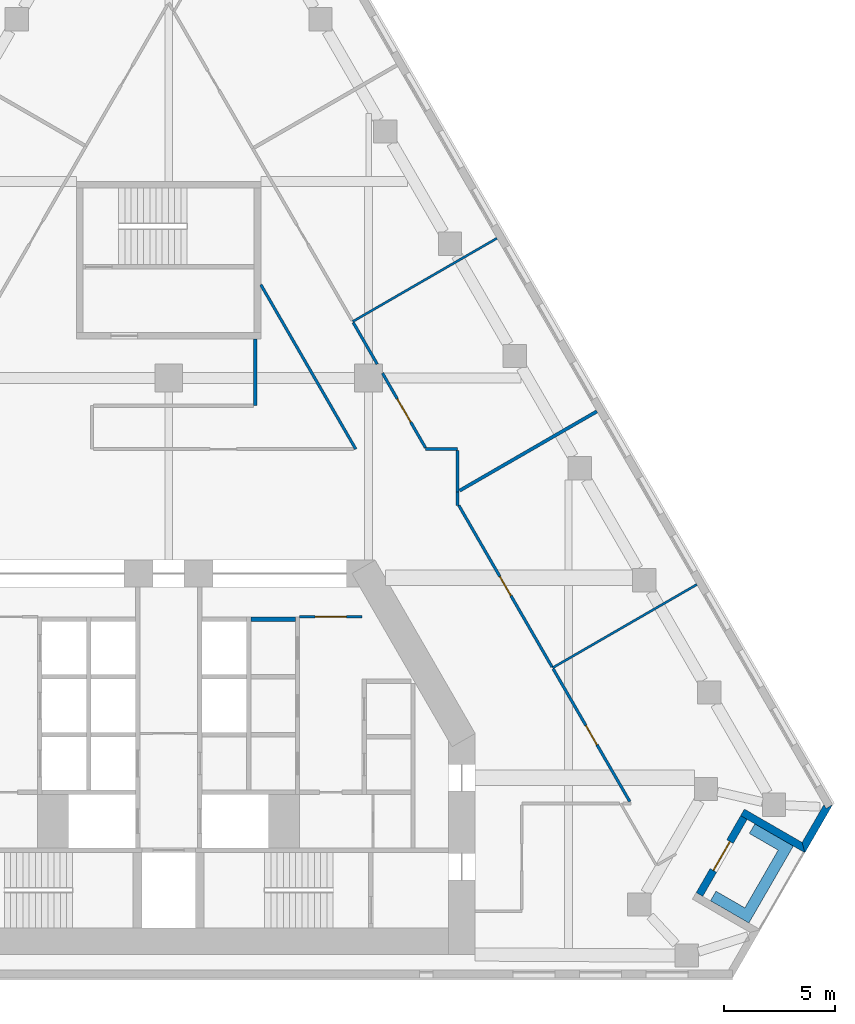
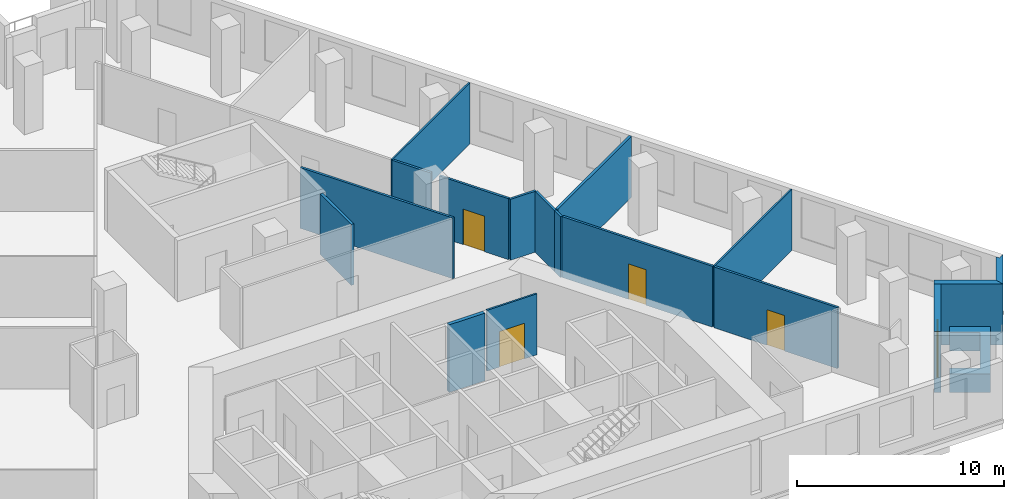
# One storey, part 7 of 10: 18 walls, 5 doors, 5 openings.
"""IFC4 building model written with IfcOpenShell, lengths in metres."""

import ifcopenshell
import ifcopenshell.guid

model = None  # the IFC model being written
_history = None  # IfcOwnerHistory: only IFC2X3 demands one
_inside = {}  # id of a spatial element -> (the spatial element, [elements in it])
_under = {}  # id of a project, library or spatial element -> (it, [spatial elements below it])
_declared = {}  # id of a project -> (the project, [libraries it declares])
_typed = {}  # id of a type object -> (the type object, [elements of that type])
_made_of = {}  # id of a material, layer set ... -> (it, [elements and type objects made of it])


def new_model(schema):
    """Start an empty IFC model of exactly this schema.

    Asked for "IFC4X3", IfcOpenShell would pick the latest addendum, in which some entities
    have other attributes; the version numbers below select the first issue.
    IFC2X3 requires an IfcOwnerHistory on every rooted entity: one is made here for all.
    """
    global model, _history
    if schema == "IFC4X3":
        model = ifcopenshell.file(schema_version=(4, 3, 0, 0))
    else:
        model = ifcopenshell.file(schema=schema)
    _inside.clear()
    _under.clear()
    _declared.clear()
    _typed.clear()
    _made_of.clear()
    _history = None
    if model.schema == "IFC2X3":
        org = make("IfcOrganization", Name="unknown")
        user = make(
            "IfcPersonAndOrganization",
            ThePerson=make("IfcPerson", FamilyName="unknown"),
            TheOrganization=org,
        )
        app = make(
            "IfcApplication",
            ApplicationDeveloper=org,
            Version="unknown",
            ApplicationFullName="unknown",
            ApplicationIdentifier="unknown",
        )
        _history = make(
            "IfcOwnerHistory",
            OwningUser=user,
            OwningApplication=app,
            ChangeAction="ADDED",
            CreationDate=0,
        )
    return model


def make(cls, **values):
    """One entity of the class cls with the attributes given. An attribute that is None is left unset."""
    return model.create_entity(
        cls, **{name: value for name, value in values.items() if value is not None}
    )


def rooted(cls, **values):
    """An entity with a GlobalId (a new one), such as an element, a storey or a relation."""
    return make(cls, GlobalId=ifcopenshell.guid.new(), OwnerHistory=_history, **values)


def si_unit(unit_type, name, prefix=None):
    """IfcSIUnit, for example si_unit("LENGTHUNIT", "METRE", prefix="MILLI")."""
    return make("IfcSIUnit", UnitType=unit_type, Prefix=prefix, Name=name)


def assignment(units):
    """IfcUnitAssignment: the units of a project."""
    return None if units is None else make("IfcUnitAssignment", Units=units)


def point(xyz):
    """IfcCartesianPoint."""
    return None if xyz is None else make("IfcCartesianPoint", Coordinates=xyz)


def direction(xyz):
    """IfcDirection."""
    return None if xyz is None else make("IfcDirection", DirectionRatios=xyz)


def frame(location, z_axis=None, x_axis=None):
    """IfcAxis2Placement3D, a coordinate frame: its origin and axes. An axis left out is left unset."""
    return make(
        "IfcAxis2Placement3D",
        Location=point(location),
        Axis=direction(z_axis),
        RefDirection=direction(x_axis),
    )


def frame_2d(location, x_axis=None):
    """IfcAxis2Placement2D, a coordinate frame in the plane: its origin and x axis."""
    return make(
        "IfcAxis2Placement2D", Location=point(location), RefDirection=direction(x_axis)
    )


def origin():
    """The frame at (0, 0, 0) with its axes left unset."""
    return frame((0.0, 0.0, 0.0))


def place(relative_to, where):
    """IfcLocalPlacement: puts the frame where relative to a parent placement (None: the world)."""
    return make(
        "IfcLocalPlacement", PlacementRelTo=relative_to, RelativePlacement=where
    )


def context(
    kind, dimensions, precision=None, world=None, true_north=None, identifier=None
):
    """IfcGeometricRepresentationContext, for example the 3D "Model" context."""
    return make(
        "IfcGeometricRepresentationContext",
        ContextIdentifier=identifier,
        ContextType=kind,
        CoordinateSpaceDimension=dimensions,
        Precision=precision,
        WorldCoordinateSystem=world,
        TrueNorth=true_north,
    )


def subcontext(parent, identifier, kind, view, scale=None):
    """IfcGeometricRepresentationSubContext, for example "Body" below "Model"."""
    return make(
        "IfcGeometricRepresentationSubContext",
        ContextIdentifier=identifier,
        ContextType=kind,
        ParentContext=parent,
        TargetScale=scale,
        TargetView=view,
    )


def project(units=None, contexts=None):
    """IfcProject with its units and contexts."""
    return rooted(
        "IfcProject",
        Name="project",
        RepresentationContexts=contexts,
        UnitsInContext=assignment(units),
    )


def spatial(cls, under=None, at=None, **own):
    """A site, building, storey or space (cls), placed at a placement, below another one or the project."""
    s = rooted(cls, ObjectPlacement=at, **own)
    if under is not None:
        _under.setdefault(under.id(), (under, []))[1].append(s)
    return s


def polyline(points):
    """IfcPolyline through the points."""
    return make("IfcPolyline", Points=[point(p) for p in points])


def profile(cls, at=None, kind="AREA", **sizes):
    """A parametric profile (cls). Its sizes go by their IFC names, for example OverallWidth=200.0."""
    return make(cls, ProfileType=kind, Position=at, **sizes)


def rectangle(**sizes):
    """IfcRectangleProfileDef."""
    return profile("IfcRectangleProfileDef", **sizes)


def outline(outer, holes=None, kind="AREA"):
    """IfcArbitraryClosedProfileDef: a profile drawn as a closed curve; with holes, ...WithVoids."""
    if holes is None:
        return make("IfcArbitraryClosedProfileDef", ProfileType=kind, OuterCurve=outer)
    return make(
        "IfcArbitraryProfileDefWithVoids",
        ProfileType=kind,
        OuterCurve=outer,
        InnerCurves=holes,
    )


def extrude(swept, where, along, depth):
    """IfcExtrudedAreaSolid: the profile swept, set in the frame where, extruded along a direction by depth."""
    return make(
        "IfcExtrudedAreaSolid",
        SweptArea=swept,
        Position=where,
        ExtrudedDirection=direction(along),
        Depth=depth,
    )


def shape(context_of_items, identifier, shape_type, items):
    """IfcShapeRepresentation: the items that make up one representation, for example the "Body"."""
    return make(
        "IfcShapeRepresentation",
        ContextOfItems=context_of_items,
        RepresentationIdentifier=identifier,
        RepresentationType=shape_type,
        Items=items,
    )


def material(Name=None, Category=None):
    """IfcMaterial."""
    return make("IfcMaterial", Name=Name, Category=Category)


def layer(
    of_material, thickness, ventilated=None, Name=None, Category=None, Priority=None
):
    """IfcMaterialLayer: one layer of a wall or slab, of a material (None: an air gap)."""
    return make(
        "IfcMaterialLayer",
        Material=of_material,
        LayerThickness=thickness,
        IsVentilated=ventilated,
        Name=Name,
        Category=Category,
        Priority=Priority,
    )


def layer_set(layers, Name=None):
    """IfcMaterialLayerSet."""
    return make("IfcMaterialLayerSet", MaterialLayers=layers, LayerSetName=Name)


def made_of(thing, what):
    """Note that an element or type object is made of a material, layer set ...; save() writes the relation."""
    if what is not None:
        _made_of.setdefault(what.id(), (what, []))[1].append(thing)
    return thing


def type_object(cls, material=None, **own):
    """A type object (cls), such as IfcWallType, which elements share."""
    return made_of(rooted(cls, **own), material)


def element(
    cls,
    number,
    at=None,
    inside=None,
    cuts=None,
    type_object=None,
    material=None,
    context=None,
    identifier="Body",
    shape_type=None,
    held_by="IfcProductDefinitionShape",
    body=None,
    shapes=None,
    **own,
):
    """One element of the class cls, such as IfcWall. Its Tag is "e" and its number.

    at: its placement. inside: the storey or other place that contains it. cuts: it is an
    opening in that element (IfcRelVoidsElement). A single representation is given by context,
    identifier, shape_type and body (its items); several are given by shapes. held_by: the class
    of the entity that holds the representations. save() writes the other relations.
    """
    e = rooted(cls, Tag="e%d" % number, ObjectPlacement=at, **own)
    if body is not None:
        shapes = [shape(context, identifier, shape_type, body)]
    if shapes is not None:
        e.Representation = make(held_by, Representations=shapes)
    if inside is not None:
        _inside.setdefault(inside.id(), (inside, []))[1].append(e)
    if cuts is not None:
        rooted(
            "IfcRelVoidsElement", RelatingBuildingElement=cuts, RelatedOpeningElement=e
        )
    if type_object is not None:
        _typed.setdefault(type_object.id(), (type_object, []))[1].append(e)
    return made_of(e, material)


def fill(opening, filler):
    """IfcRelFillsElement: the door or window that sits in an opening."""
    return rooted(
        "IfcRelFillsElement",
        RelatingOpeningElement=opening,
        RelatedBuildingElement=filler,
    )


def aggregate(whole, parts):
    """IfcRelAggregates: a whole, such as a stair, and the parts it consists of."""
    return rooted("IfcRelAggregates", RelatingObject=whole, RelatedObjects=parts)


def save(model, path):
    """Write the relations noted so far, then the file.

    IfcRelAggregates (storeys below a building ...), IfcRelContainedInSpatialStructure (elements
    in a storey), IfcRelDefinesByType, IfcRelAssociatesMaterial and IfcRelDeclares: one each for
    every whole, place, type object, material and project.
    """
    for whole, parts in _under.values():
        aggregate(whole, parts)
    for where, things in _inside.values():
        rooted(
            "IfcRelContainedInSpatialStructure",
            RelatedElements=things,
            RelatingStructure=where,
        )
    for kind, things in _typed.values():
        rooted("IfcRelDefinesByType", RelatedObjects=things, RelatingType=kind)
    for what, things in _made_of.values():
        rooted("IfcRelAssociatesMaterial", RelatedObjects=things, RelatingMaterial=what)
    for by, libraries in _declared.values():
        rooted("IfcRelDeclares", RelatingContext=by, RelatedDefinitions=libraries)
    model.write(path)


model = new_model("IFC4")

# Units and contexts
model_context = context("Model", 3, precision=1e-05, world=origin(), true_north=direction((0.0, 1.0)))
body_context = subcontext(model_context, "Body", "Model", "MODEL_VIEW")
ifc_project = project(units=[si_unit("LENGTHUNIT", "METRE"), si_unit("AREAUNIT", "SQUARE_METRE"), si_unit("VOLUMEUNIT", "CUBIC_METRE"), si_unit("PLANEANGLEUNIT", "RADIAN"), si_unit("MASSUNIT", "GRAM", prefix="KILO")], contexts=[model_context])

# Site, building, storey
site_placement = place(None, origin())
site = spatial("IfcSite", under=ifc_project, at=site_placement, CompositionType="ELEMENT")
building_placement = place(site_placement, origin())
building = spatial("IfcBuilding", under=site, at=building_placement, Name="Fogline Exchange Tower", CompositionType="ELEMENT")
storey_placement = place(building_placement, frame((0.0, 0.0, 124.10009765625)))
storey = spatial("IfcBuildingStorey", under=building, at=storey_placement, Name="L27", CompositionType="ELEMENT", Elevation=124.10009765625)

# Wall, opening, door
ifc_material_1 = material(Name="Blockwork partition", Category="masonry")
ifc_layer_1 = layer(ifc_material_1, 0.10009765625)
ifc_layer_set_1 = layer_set([ifc_layer_1], Name="CW10")
wall_type_1 = type_object("IfcWallType", Name="CW10", PredefinedType="PARTITIONING", material=ifc_layer_set_1)
wall_1_placement = place(storey_placement, frame((5.89990234375, 16.25, 0.0), z_axis=(0.0, 0.0, 1.0), x_axis=(1.0, 0.0, 0.0)))
wall_1 = element("IfcWall", 1, at=wall_1_placement, inside=storey, type_object=wall_type_1, Name="Lift lobby partition", PredefinedType="PARTITIONING", context=body_context, shape_type="SweptSolid", body=[
    extrude(rectangle(XDim=2.800048828125, YDim=0.10009765625, at=frame_2d((1.39990234375, 0.0))), origin(), (0.0, 0.0, 1.0), 3.599853515625),
])
opening_1_placement = place(wall_1_placement, frame((0.699951171875, 0.0, 0.0)))
opening_1 = element("IfcOpeningElement", 2, at=opening_1_placement, cuts=wall_1, Name="Opening T08-C013", PredefinedType="OPENING", context=body_context, shape_type="SweptSolid", body=[
    extrude(rectangle(XDim=1.39990234375, YDim=2.10009765625, at=frame_2d((0.699951171875, 1.050048828125))), frame((0.0, 0.06005859375, 0.0), z_axis=(0.0, -1.0, 0.0), x_axis=(1.0, 0.0, 0.0)), (0.0, 0.0, 1.0), 0.1201171875),
])
ifc_material_2 = material(Name="Steel and timber fire door", Category="steel")
door_type_1 = type_object("IfcDoorType", Name="D-LB1", OperationType="DOUBLE_DOOR_SINGLE_SWING", PredefinedType="DOOR", material=ifc_material_2)
door_1_placement = place(opening_1_placement, origin())
door_1 = element("IfcDoor", 3, at=door_1_placement, inside=storey, type_object=door_type_1, Name="Door to lift lobby", OperationType="DOUBLE_DOOR_SINGLE_SWING", OverallHeight=2.10009765625, OverallWidth=1.39990234375, PredefinedType="DOOR", context=body_context, shape_type="SweptSolid", body=[
    extrude(rectangle(XDim=1.39990234375, YDim=2.10009765625, at=frame_2d((0.699951171875, 1.050048828125))), frame((0.0, 0.02490234375, 0.0), z_axis=(0.0, -1.0, 0.0), x_axis=(1.0, 0.0, 0.0)), (0.0, 0.0, 1.0), 0.050048828125),
])
fill(opening_1, door_1)

# Wall
ifc_material_3 = material(Name="Concrete C40", Category="concrete")
ifc_layer_2 = layer(ifc_material_3, 0.199951171875)
ifc_layer_set_2 = layer_set([ifc_layer_2], Name="CW20S")
wall_type_2 = type_object("IfcWallType", Name="CW20S", PredefinedType="SOLIDWALL", material=ifc_layer_set_2)
wall_2_placement = place(storey_placement, frame((3.699951171875, 16.14990234375, -0.400146484375), z_axis=(0.0, 0.0, 1.0), x_axis=(1.0, 0.0, 0.0)))
element("IfcWall", 4, at=wall_2_placement, inside=storey, type_object=wall_type_2, Name="Lift shaft wall", PredefinedType="SOLIDWALL", context=body_context, shape_type="SweptSolid", body=[
    extrude(rectangle(XDim=2.0, YDim=0.199951171875, at=frame_2d((1.0, 0.0))), origin(), (0.0, 0.0, 1.0), 4.0),
])

# Wall, opening, door
ifc_material_4 = material(Name="Brick masonry", Category="masonry")
ifc_layer_3 = layer(ifc_material_4, 0.340087890625)
ifc_layer_set_3 = layer_set([ifc_layer_3], Name="FW1")
wall_type_3 = type_object("IfcWallType", Name="FW1", PredefinedType="SOLIDWALL", material=ifc_layer_set_3)
wall_3_placement = place(storey_placement, frame((23.89794921875, 3.75, 0.0), z_axis=(0.0, 0.0, 1.0), x_axis=(0.49999894854, 0.866026010844, 0.0)))
wall_3 = element("IfcWall", 5, at=wall_3_placement, inside=storey, type_object=wall_type_3, Name="Brick wall L27 SE-bk", PredefinedType="SOLIDWALL", context=body_context, shape_type="SweptSolid", body=[
    extrude(rectangle(XDim=4.0, YDim=0.340087890625, at=frame_2d((2.0, 0.0))), origin(), (0.0, 0.0, 1.0), 3.599853515625),
])
opening_2_placement = place(wall_3_placement, frame((1.25, 0.0, 0.0)))
opening_2 = element("IfcOpeningElement", 6, at=opening_2_placement, cuts=wall_3, Name="Opening T08-E081", PredefinedType="OPENING", context=body_context, shape_type="SweptSolid", body=[
    extrude(rectangle(XDim=1.5, YDim=2.39990234375, at=frame_2d((0.75, 1.199951171875))), frame((0.0, 0.18017578125, 0.0), z_axis=(0.0, -1.0, 0.0), x_axis=(1.0, 0.0, 0.0)), (0.0, 0.0, 1.0), 0.360107421875),
])
ifc_material_5 = material(Name="Aluminium and glass", Category="aluminium")
door_type_2 = type_object("IfcDoorType", Name="ED4", OperationType="SINGLE_SWING_LEFT", PredefinedType="DOOR", material=ifc_material_5)
door_2_placement = place(opening_2_placement, frame((1.5, 0.0, 0.0), z_axis=(0.0, 0.0, 1.0), x_axis=(-1.0, 0.0, 0.0)))
door_2 = element("IfcDoor", 7, at=door_2_placement, inside=storey, type_object=door_type_2, Name="Balcony door L27 SE", OperationType="DOUBLE_DOOR_SINGLE_SWING", OverallHeight=2.39990234375, OverallWidth=1.5, PredefinedType="DOOR", context=body_context, shape_type="SweptSolid", body=[
    extrude(rectangle(XDim=1.5, YDim=2.39990234375, at=frame_2d((0.75, 1.199951171875))), frame((0.0, 0.02490234375, 0.0), z_axis=(0.0, -1.0, 0.0), x_axis=(1.0, 0.0, 0.0)), (0.0, 0.0, 1.0), 0.050048828125),
])
fill(opening_2, door_2)

# Walls
wall_4_placement = place(storey_placement, origin())
element("IfcWall", 8, at=wall_4_placement, inside=storey, type_object=wall_type_3, Name="Brick wall L27 SE-s2", PredefinedType="SOLIDWALL", context=body_context, shape_type="SweptSolid", body=[
    extrude(outline(polyline([(28.643798828125, 5.628173828125), (26.044921875, 7.128662109375), (25.75, 7.298828125), (25.92041015625, 7.594482421875), (28.519287109375, 6.093994140625), (28.64404296875, 5.62841796875), (28.643798828125, 5.628173828125)])), origin(), (0.0, 0.0, 1.0), 3.599853515625),
])
wall_5_placement = place(storey_placement, origin())
element("IfcWall", 9, at=wall_5_placement, inside=storey, type_object=wall_type_3, Name="Brick wall L27 SE-c2", PredefinedType="SOLIDWALL", context=body_context, shape_type="SweptSolid", body=[
    extrude(outline(polyline([(29.500732421875, 7.79541015625), (29.59912109375, 7.625), (29.893798828125, 7.79541015625), (29.894287109375, 7.794921875), (28.643310546875, 5.6279296875), (28.64306640625, 5.6279296875), (28.51806640625, 6.09375), (29.500732421875, 7.79541015625)])), origin(), (0.0, 0.0, 1.0), 3.599853515625),
])
ifc_material_6 = material(Name="Concrete C30", Category="concrete")
ifc_layer_4 = layer(ifc_material_6, 0.199951171875)
ifc_layer_set_4 = layer_set([ifc_layer_4], Name="PL1")
wall_type_4 = type_object("IfcWallType", Name="PL1", PredefinedType="USERDEFINED", material=ifc_layer_set_4)
wall_6_placement = place(storey_placement, origin())
element("IfcWall", 10, at=wall_6_placement, inside=storey, type_object=wall_type_4, Name="PLANTER balcony L27 SE", ObjectType="PLANTER", PredefinedType="USERDEFINED", context=body_context, shape_type="SweptSolid", body=[
    extrude(outline(polyline([(24.3916015625, 3.465087890625), (25.690673828125, 2.715087890625), (25.690673828125, 2.715087890625), (26.12353515625, 2.465087890625), (27.87353515625, 5.49609375), (28.12353515625, 5.92919921875), (26.3916015625, 6.92919921875), (26.1416015625, 6.49609375), (27.440673828125, 5.74609375), (25.940673828125, 3.148193359375), (24.6416015625, 3.898193359375), (24.3916015625, 3.465087890625)])), origin(), (0.0, 0.0, 1.0), 1.099853515625),
])
ifc_material_7 = material(Name="Plasterboard partition, 2 layers each side on steel studs", Category="steel")
ifc_layer_5 = layer(ifc_material_7, 0.10009765625)
ifc_layer_set_5 = layer_set([ifc_layer_5], Name="PW1")
wall_type_5 = type_object("IfcWallType", Name="PW1", PredefinedType="PARTITIONING", material=ifc_layer_set_5)
for number, where, z_axis, x_axis, name in (
    (11, (8.2841796875, 29.54248046875, 0.0), (0.0, 0.0, 1.0), (0.866022959057, 0.500004234368, 0.0), "wall-L27-W034"),
    (12, (17.2841796875, 13.9541015625, 0.0), (0.0, 0.0, 1.0), (0.866022959057, 0.500004234368, 0.0), "wall-L27-W049"),
):
    element("IfcWall", number, at=place(storey_placement, frame(where, z_axis=z_axis, x_axis=x_axis)), inside=storey, type_object=wall_type_5, Name=name, PredefinedType="PARTITIONING", context=body_context, shape_type="SweptSolid", body=[
        extrude(rectangle(XDim=7.5, YDim=0.10009765625, at=frame_2d((3.75, 0.0))), origin(), (0.0, 0.0, 1.0), 3.599853515625),
    ])
ifc_material_8 = material(Name="Plasterboard corridor partition with mineral wool, 2 layers each side")
ifc_layer_6 = layer(ifc_material_8, 0.125)
ifc_layer_set_6 = layer_set([ifc_layer_6], Name="PW2")
wall_type_6 = type_object("IfcWallType", Name="PW2", PredefinedType="PARTITIONING", material=ifc_layer_set_6)
wall_7_placement = place(storey_placement, frame((11.562744140625, 23.800048828125, 0.0), z_axis=(0.0, 0.0, 1.0), x_axis=(1.0, 0.0, 0.0)))
element("IfcWall", 13, at=wall_7_placement, inside=storey, type_object=wall_type_6, Name="wall-L27-W003", PredefinedType="PARTITIONING", context=body_context, shape_type="SweptSolid", body=[
    extrude(rectangle(XDim=1.437255859375, YDim=0.125, at=frame_2d((0.71875, 0.0))), origin(), (0.0, 0.0, 1.0), 3.599853515625),
])
wall_8_placement = place(storey_placement, frame((13.0, 23.737548828125, 0.0), z_axis=(0.0, 0.0, 1.0), x_axis=(0.0, -1.0, 0.0)))
element("IfcWall", 14, at=wall_8_placement, inside=storey, type_object=wall_type_6, Name="wall-L27-W004", PredefinedType="PARTITIONING", context=body_context, shape_type="SweptSolid", body=[
    extrude(rectangle(XDim=1.86474609375, YDim=0.125, at=frame_2d((0.932373046875, 0.0))), origin(), (0.0, 0.0, 1.0), 3.599853515625),
])
wall_9_placement = place(storey_placement, frame((13.0, 21.872802734375, 0.0), z_axis=(0.0, 0.0, 1.0), x_axis=(0.0, -1.0, 0.0)))
element("IfcWall", 15, at=wall_9_placement, inside=storey, type_object=wall_type_6, Name="wall-L27-W008", PredefinedType="PARTITIONING", context=body_context, shape_type="SweptSolid", body=[
    extrude(rectangle(XDim=0.607177734375, YDim=0.125, at=frame_2d((0.3037109375, 0.0))), origin(), (0.0, 0.0, 1.0), 3.599853515625),
])
wall_10_placement = place(storey_placement, frame((8.309326171875, 29.498779296875, 0.0), z_axis=(0.0, 0.0, 1.0), x_axis=(0.499986178718, -0.866033383358, 0.0)))
element("IfcWall", 16, at=wall_10_placement, inside=storey, type_object=wall_type_6, Name="wall-L27-W011", PredefinedType="PARTITIONING", context=body_context, shape_type="SweptSolid", body=[
    extrude(rectangle(XDim=2.16357421875, YDim=0.125, at=frame_2d((1.081787109375, 0.0))), origin(), (0.0, 0.0, 1.0), 3.599853515625),
])

# Wall, opening, door
wall_11_placement = place(storey_placement, frame((9.625, 27.219970703125, 0.0), z_axis=(0.0, 0.0, 1.0), x_axis=(0.500013181875, -0.866017793092, 0.0)))
wall_11 = element("IfcWall", 17, at=wall_11_placement, inside=storey, type_object=wall_type_6, Name="wall-L27-W012", PredefinedType="PARTITIONING", context=body_context, shape_type="SweptSolid", body=[
    extrude(rectangle(XDim=3.876953125, YDim=0.125, at=frame_2d((1.9384765625, 0.0))), origin(), (0.0, 0.0, 1.0), 3.599853515625),
])
opening_3_placement = place(wall_11_placement, frame((1.33837890625, 0.0, 0.0)))
opening_3 = element("IfcOpeningElement", 18, at=opening_3_placement, cuts=wall_11, Name="Opening T08-D005", PredefinedType="OPENING", context=body_context, shape_type="SweptSolid", body=[
    extrude(rectangle(XDim=1.199951171875, YDim=2.10009765625, at=frame_2d((0.60009765625, 1.050048828125))), frame((0.0, 0.072509765625, 0.0), z_axis=(0.0, -1.0, 0.0), x_axis=(1.0, 0.0, 0.0)), (0.0, 0.0, 1.0), 0.14501953125),
])
ifc_material_9 = material(Name="Fire-rated glazed door leaf with steel frame", Category="steel")
door_type_3 = type_object("IfcDoorType", Name="D5", OperationType="SINGLE_SWING_LEFT", PredefinedType="DOOR", material=ifc_material_9)
door_3_placement = place(opening_3_placement, origin())
door_3 = element("IfcDoor", 19, at=door_3_placement, inside=storey, type_object=door_type_3, Name="door-L27-D005", OperationType="SINGLE_SWING_RIGHT", OverallHeight=2.10009765625, OverallWidth=1.199951171875, PredefinedType="DOOR", context=body_context, shape_type="SweptSolid", body=[
    extrude(rectangle(XDim=1.199951171875, YDim=2.10009765625, at=frame_2d((0.60009765625, 1.050048828125))), frame((0.0, 0.02490234375, 0.0), z_axis=(0.0, -1.0, 0.0), x_axis=(1.0, 0.0, 0.0)), (0.0, 0.0, 1.0), 0.050048828125),
])
fill(opening_3, door_3)

# Wall
wall_12_placement = place(storey_placement, frame((8.424072265625, 23.800048828125, 0.0), z_axis=(0.0, 0.0, 1.0), x_axis=(-0.500012533912, 0.866018167206, 0.0)))
element("IfcWall", 20, at=wall_12_placement, inside=storey, type_object=wall_type_6, Name="wall-L27-W014", PredefinedType="PARTITIONING", context=body_context, shape_type="SweptSolid", body=[
    extrude(rectangle(XDim=8.548095703125, YDim=0.125, at=frame_2d((4.27392578125, 0.0))), origin(), (0.0, 0.0, 1.0), 3.599853515625),
])

# Wall, opening, door
wall_13_placement = place(storey_placement, frame((17.309326171875, 13.910400390625, 0.0), z_axis=(0.0, 0.0, 1.0), x_axis=(0.499974600225, -0.866040067854, 0.0)))
wall_13 = element("IfcWall", 21, at=wall_13_placement, inside=storey, type_object=wall_type_6, Name="wall-L27-W030", PredefinedType="PARTITIONING", context=body_context, shape_type="SweptSolid", body=[
    extrude(rectangle(XDim=6.900634765625, YDim=0.125, at=frame_2d((3.4501953125, 0.0))), origin(), (0.0, 0.0, 1.0), 3.599853515625),
])
opening_4_placement = place(wall_13_placement, frame((2.9501953125, 0.0, 0.0)))
opening_4 = element("IfcOpeningElement", 22, at=opening_4_placement, cuts=wall_13, Name="Opening T08-D013", PredefinedType="OPENING", context=body_context, shape_type="SweptSolid", body=[
    extrude(rectangle(XDim=1.0, YDim=2.10009765625, at=frame_2d((0.5, 1.050048828125))), frame((0.0, 0.072509765625, 0.0), z_axis=(0.0, -1.0, 0.0), x_axis=(1.0, 0.0, 0.0)), (0.0, 0.0, 1.0), 0.14501953125),
])
ifc_material_10 = material(Name="Fire-rated timber door leaf with steel frame", Category="steel")
door_type_4 = type_object("IfcDoorType", Name="D3", OperationType="SINGLE_SWING_LEFT", PredefinedType="DOOR", material=ifc_material_10)
door_4_placement = place(opening_4_placement, origin())
door_4 = element("IfcDoor", 23, at=door_4_placement, inside=storey, type_object=door_type_4, Name="door-L27-D013", OperationType="SINGLE_SWING_LEFT", OverallHeight=2.10009765625, OverallWidth=1.0, PredefinedType="DOOR", context=body_context, shape_type="SweptSolid", body=[
    extrude(rectangle(XDim=1.0, YDim=2.10009765625, at=frame_2d((0.5, 1.050048828125))), frame((0.0, 0.02490234375, 0.0), z_axis=(0.0, -1.0, 0.0), x_axis=(1.0, 0.0, 0.0)), (0.0, 0.0, 1.0), 0.050048828125),
])
fill(opening_4, door_4)

wall_14_placement = place(storey_placement, frame((13.0625, 21.265869140625, 0.0), z_axis=(0.0, 0.0, 1.0), x_axis=(0.50000616322, -0.866021845419, 0.0)))
wall_14 = element("IfcWall", 24, at=wall_14_placement, inside=storey, type_object=wall_type_6, Name="wall-L27-W032", PredefinedType="PARTITIONING", context=body_context, shape_type="SweptSolid", body=[
    extrude(rectangle(XDim=8.392578125, YDim=0.125, at=frame_2d((4.1962890625, 0.0))), origin(), (0.0, 0.0, 1.0), 3.599853515625),
])
opening_5_placement = place(wall_14_placement, frame((3.6962890625, 0.0, 0.0)))
opening_5 = element("IfcOpeningElement", 25, at=opening_5_placement, cuts=wall_14, Name="Opening T08-D014", PredefinedType="OPENING", context=body_context, shape_type="SweptSolid", body=[
    extrude(rectangle(XDim=1.0, YDim=2.10009765625, at=frame_2d((0.5, 1.050048828125))), frame((0.0, 0.072509765625, 0.0), z_axis=(0.0, -1.0, 0.0), x_axis=(1.0, 0.0, 0.0)), (0.0, 0.0, 1.0), 0.14501953125),
])
door_5_placement = place(opening_5_placement, origin())
door_5 = element("IfcDoor", 26, at=door_5_placement, inside=storey, type_object=door_type_4, Name="door-L27-D014", OperationType="SINGLE_SWING_LEFT", OverallHeight=2.10009765625, OverallWidth=1.0, PredefinedType="DOOR", context=body_context, shape_type="SweptSolid", body=[
    extrude(rectangle(XDim=1.0, YDim=2.10009765625, at=frame_2d((0.5, 1.050048828125))), frame((0.0, 0.02490234375, 0.0), z_axis=(0.0, -1.0, 0.0), x_axis=(1.0, 0.0, 0.0)), (0.0, 0.0, 1.0), 0.050048828125),
])
fill(opening_5, door_5)

# Walls
ifc_material_11 = material(Name="Plasterboard demising partition with mineral wool and acoustic board")
ifc_layer_7 = layer(ifc_material_11, 0.14990234375)
ifc_layer_set_7 = layer_set([ifc_layer_7], Name="PW3")
wall_type_7 = type_object("IfcWallType", Name="PW3", PredefinedType="PARTITIONING", material=ifc_layer_set_7)
wall_15_placement = place(storey_placement, frame((19.279296875, 25.498291015625, 0.0), z_axis=(0.0, 0.0, 1.0), x_axis=(-0.866027744296, -0.499995946093, 0.0)))
element("IfcWall", 27, at=wall_15_placement, inside=storey, type_object=wall_type_7, Name="wall-L27-W035", PredefinedType="PARTITIONING", context=body_context, shape_type="SweptSolid", body=[
    extrude(rectangle(XDim=7.134765625, YDim=0.14990234375, at=frame_2d((3.5673828125, 0.0))), origin(), (0.0, 0.0, 1.0), 3.599853515625),
])
ifc_material_12 = material(Name="Plasterboard stair lobby partition, 3 layers each side on steel studs", Category="steel")
ifc_layer_8 = layer(ifc_material_12, 0.14990234375)
ifc_layer_set_8 = layer_set([ifc_layer_8], Name="PW4")
wall_type_8 = type_object("IfcWallType", Name="PW4", PredefinedType="PARTITIONING", material=ifc_layer_set_8)
wall_16_placement = place(storey_placement, frame((3.89990234375, 28.757080078125, 0.0), z_axis=(0.0, 0.0, 1.0), x_axis=(0.0, -1.0, 0.0)))
element("IfcWall", 28, at=wall_16_placement, inside=storey, type_object=wall_type_8, Name="wall-L27-W023", PredefinedType="PARTITIONING", context=body_context, shape_type="SweptSolid", body=[
    extrude(rectangle(XDim=3.0, YDim=0.14990234375, at=frame_2d((1.5, 0.0))), origin(), (0.0, 0.0, 1.0), 3.599853515625),
])

save(model, "model.ifc")
